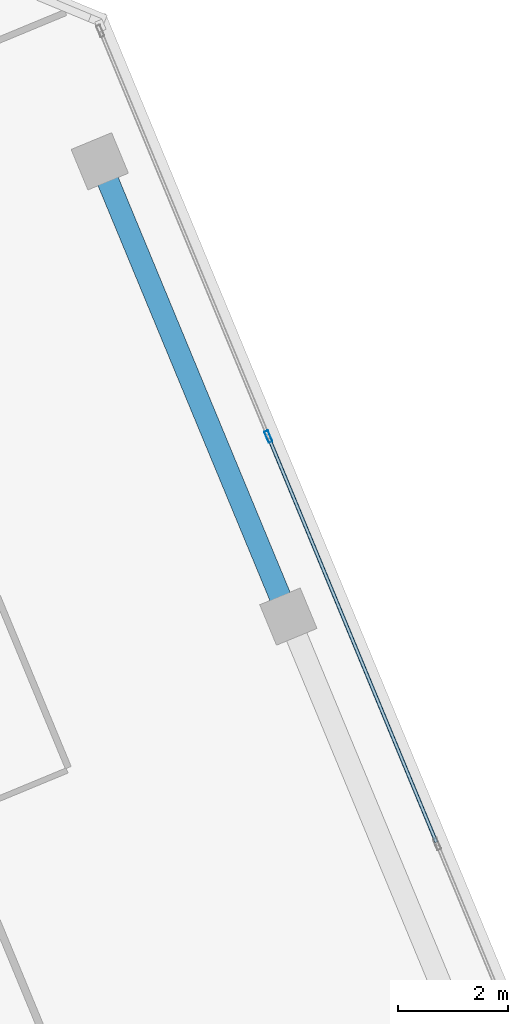
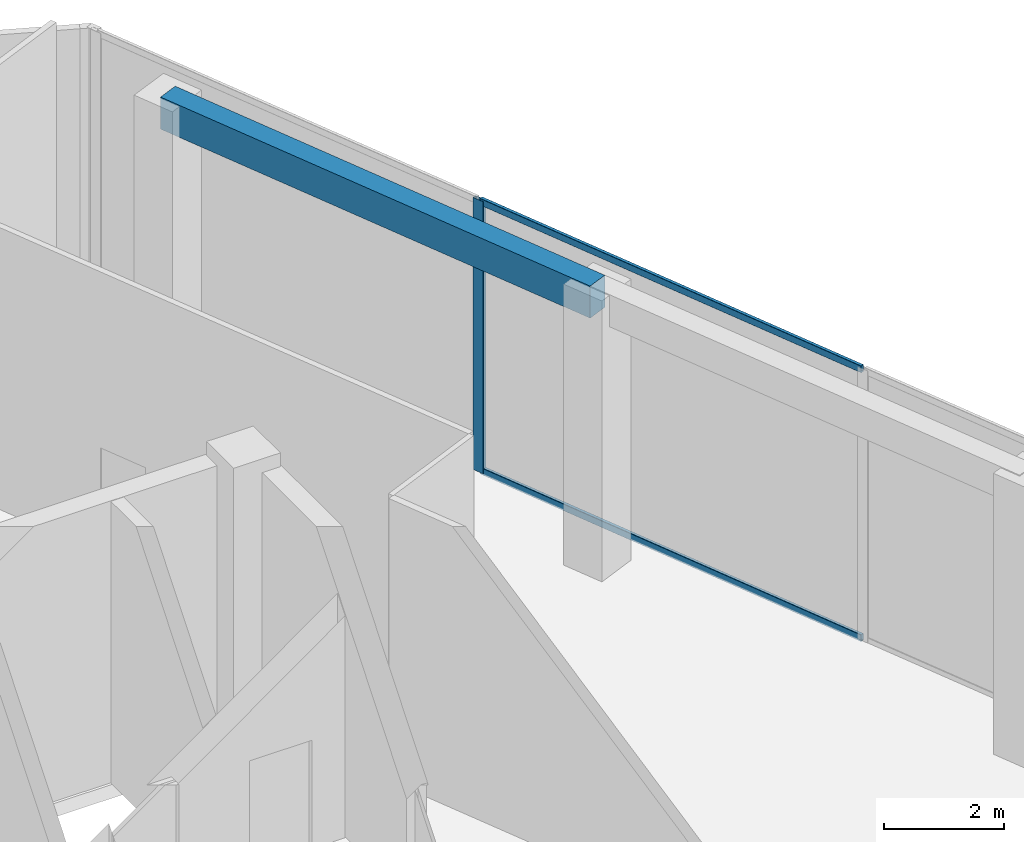
# One storey, part 7 of 16: 3 members, 1 beam, 1 element without a shape of its own.
"""IFC4 building model written with IfcOpenShell, lengths in metres."""

import ifcopenshell
import ifcopenshell.guid

model = None  # the IFC model being written
_history = None  # IfcOwnerHistory: only IFC2X3 demands one
_inside = {}  # id of a spatial element -> (the spatial element, [elements in it])
_under = {}  # id of a project, library or spatial element -> (it, [spatial elements below it])
_declared = {}  # id of a project -> (the project, [libraries it declares])
_typed = {}  # id of a type object -> (the type object, [elements of that type])
_made_of = {}  # id of a material, layer set ... -> (it, [elements and type objects made of it])


def new_model(schema):
    """Start an empty IFC model of exactly this schema.

    Asked for "IFC4X3", IfcOpenShell would pick the latest addendum, in which some entities
    have other attributes; the version numbers below select the first issue.
    IFC2X3 requires an IfcOwnerHistory on every rooted entity: one is made here for all.
    """
    global model, _history
    if schema == "IFC4X3":
        model = ifcopenshell.file(schema_version=(4, 3, 0, 0))
    else:
        model = ifcopenshell.file(schema=schema)
    _inside.clear()
    _under.clear()
    _declared.clear()
    _typed.clear()
    _made_of.clear()
    _history = None
    if model.schema == "IFC2X3":
        org = make("IfcOrganization", Name="unknown")
        user = make(
            "IfcPersonAndOrganization",
            ThePerson=make("IfcPerson", FamilyName="unknown"),
            TheOrganization=org,
        )
        app = make(
            "IfcApplication",
            ApplicationDeveloper=org,
            Version="unknown",
            ApplicationFullName="unknown",
            ApplicationIdentifier="unknown",
        )
        _history = make(
            "IfcOwnerHistory",
            OwningUser=user,
            OwningApplication=app,
            ChangeAction="ADDED",
            CreationDate=0,
        )
    return model


def make(cls, **values):
    """One entity of the class cls with the attributes given. An attribute that is None is left unset."""
    return model.create_entity(
        cls, **{name: value for name, value in values.items() if value is not None}
    )


def rooted(cls, **values):
    """An entity with a GlobalId (a new one), such as an element, a storey or a relation."""
    return make(cls, GlobalId=ifcopenshell.guid.new(), OwnerHistory=_history, **values)


def si_unit(unit_type, name, prefix=None):
    """IfcSIUnit, for example si_unit("LENGTHUNIT", "METRE", prefix="MILLI")."""
    return make("IfcSIUnit", UnitType=unit_type, Prefix=prefix, Name=name)


def assignment(units):
    """IfcUnitAssignment: the units of a project."""
    return None if units is None else make("IfcUnitAssignment", Units=units)


def point(xyz):
    """IfcCartesianPoint."""
    return None if xyz is None else make("IfcCartesianPoint", Coordinates=xyz)


def direction(xyz):
    """IfcDirection."""
    return None if xyz is None else make("IfcDirection", DirectionRatios=xyz)


def frame(location, z_axis=None, x_axis=None):
    """IfcAxis2Placement3D, a coordinate frame: its origin and axes. An axis left out is left unset."""
    return make(
        "IfcAxis2Placement3D",
        Location=point(location),
        Axis=direction(z_axis),
        RefDirection=direction(x_axis),
    )


def frame_2d(location, x_axis=None):
    """IfcAxis2Placement2D, a coordinate frame in the plane: its origin and x axis."""
    return make(
        "IfcAxis2Placement2D", Location=point(location), RefDirection=direction(x_axis)
    )


def origin():
    """The frame at (0, 0, 0) with its axes left unset."""
    return frame((0.0, 0.0, 0.0))


def origin_2d():
    """The frame at (0, 0) in the plane with its x axis left unset."""
    return frame_2d((0.0, 0.0))


def place(relative_to, where):
    """IfcLocalPlacement: puts the frame where relative to a parent placement (None: the world)."""
    return make(
        "IfcLocalPlacement", PlacementRelTo=relative_to, RelativePlacement=where
    )


def context(
    kind, dimensions, precision=None, world=None, true_north=None, identifier=None
):
    """IfcGeometricRepresentationContext, for example the 3D "Model" context."""
    return make(
        "IfcGeometricRepresentationContext",
        ContextIdentifier=identifier,
        ContextType=kind,
        CoordinateSpaceDimension=dimensions,
        Precision=precision,
        WorldCoordinateSystem=world,
        TrueNorth=true_north,
    )


def subcontext(parent, identifier, kind, view, scale=None):
    """IfcGeometricRepresentationSubContext, for example "Body" below "Model"."""
    return make(
        "IfcGeometricRepresentationSubContext",
        ContextIdentifier=identifier,
        ContextType=kind,
        ParentContext=parent,
        TargetScale=scale,
        TargetView=view,
    )


def project(units=None, contexts=None):
    """IfcProject with its units and contexts."""
    return rooted(
        "IfcProject",
        Name="project",
        RepresentationContexts=contexts,
        UnitsInContext=assignment(units),
    )


def spatial(cls, under=None, at=None, **own):
    """A site, building, storey or space (cls), placed at a placement, below another one or the project."""
    s = rooted(cls, ObjectPlacement=at, **own)
    if under is not None:
        _under.setdefault(under.id(), (under, []))[1].append(s)
    return s


def profile(cls, at=None, kind="AREA", **sizes):
    """A parametric profile (cls). Its sizes go by their IFC names, for example OverallWidth=200.0."""
    return make(cls, ProfileType=kind, Position=at, **sizes)


def rectangle(**sizes):
    """IfcRectangleProfileDef."""
    return profile("IfcRectangleProfileDef", **sizes)


def hollow_rectangle(**sizes):
    """IfcRectangleHollowProfileDef."""
    return profile("IfcRectangleHollowProfileDef", **sizes)


def extrude(swept, where, along, depth):
    """IfcExtrudedAreaSolid: the profile swept, set in the frame where, extruded along a direction by depth."""
    return make(
        "IfcExtrudedAreaSolid",
        SweptArea=swept,
        Position=where,
        ExtrudedDirection=direction(along),
        Depth=depth,
    )


def shape(context_of_items, identifier, shape_type, items):
    """IfcShapeRepresentation: the items that make up one representation, for example the "Body"."""
    return make(
        "IfcShapeRepresentation",
        ContextOfItems=context_of_items,
        RepresentationIdentifier=identifier,
        RepresentationType=shape_type,
        Items=items,
    )


def source(mapping_origin, context_of_items, identifier, shape_type, items):
    """IfcRepresentationMap: a shape defined once, which mapped items show again and again."""
    return make(
        "IfcRepresentationMap",
        MappingOrigin=mapping_origin,
        MappedRepresentation=shape(context_of_items, identifier, shape_type, items),
    )


def transform(
    local_origin,
    x_axis=None,
    y_axis=None,
    z_axis=None,
    scale=None,
    scale2=None,
    scale3=None,
    uniform=True,
):
    """IfcCartesianTransformationOperator3D, or its non-uniform kind. x_axis, y_axis, z_axis: its Axis1, 2, 3."""
    if uniform:
        return make(
            "IfcCartesianTransformationOperator3D",
            Axis1=direction(x_axis),
            Axis2=direction(y_axis),
            LocalOrigin=point(local_origin),
            Scale=scale,
            Axis3=direction(z_axis),
        )
    return make(
        "IfcCartesianTransformationOperator3DnonUniform",
        Axis1=direction(x_axis),
        Axis2=direction(y_axis),
        LocalOrigin=point(local_origin),
        Scale=scale,
        Axis3=direction(z_axis),
        Scale2=scale2,
        Scale3=scale3,
    )


def mapped(mapping_source, mapping_target):
    """IfcMappedItem: shows the shape of a source again, moved by a transform."""
    return make(
        "IfcMappedItem", MappingSource=mapping_source, MappingTarget=mapping_target
    )


def material(Name=None, Category=None):
    """IfcMaterial."""
    return make("IfcMaterial", Name=Name, Category=Category)


def material_profile(
    of_material, cross_section, Name=None, Category=None, Priority=None
):
    """IfcMaterialProfile: a cross section and its material."""
    return make(
        "IfcMaterialProfile",
        Name=Name,
        Material=of_material,
        Profile=cross_section,
        Priority=Priority,
        Category=Category,
    )


def profile_set(profiles, Name=None, composite=None):
    """IfcMaterialProfileSet."""
    return make(
        "IfcMaterialProfileSet",
        Name=Name,
        MaterialProfiles=profiles,
        CompositeProfile=composite,
    )


def made_of(thing, what):
    """Note that an element or type object is made of a material, layer set ...; save() writes the relation."""
    if what is not None:
        _made_of.setdefault(what.id(), (what, []))[1].append(thing)
    return thing


def type_object(cls, material=None, **own):
    """A type object (cls), such as IfcWallType, which elements share."""
    return made_of(rooted(cls, **own), material)


def element(
    cls,
    number,
    at=None,
    inside=None,
    cuts=None,
    type_object=None,
    material=None,
    context=None,
    identifier="Body",
    shape_type=None,
    held_by="IfcProductDefinitionShape",
    body=None,
    shapes=None,
    **own,
):
    """One element of the class cls, such as IfcWall. Its Tag is "e" and its number.

    at: its placement. inside: the storey or other place that contains it. cuts: it is an
    opening in that element (IfcRelVoidsElement). A single representation is given by context,
    identifier, shape_type and body (its items); several are given by shapes. held_by: the class
    of the entity that holds the representations. save() writes the other relations.
    """
    e = rooted(cls, Tag="e%d" % number, ObjectPlacement=at, **own)
    if body is not None:
        shapes = [shape(context, identifier, shape_type, body)]
    if shapes is not None:
        e.Representation = make(held_by, Representations=shapes)
    if inside is not None:
        _inside.setdefault(inside.id(), (inside, []))[1].append(e)
    if cuts is not None:
        rooted(
            "IfcRelVoidsElement", RelatingBuildingElement=cuts, RelatedOpeningElement=e
        )
    if type_object is not None:
        _typed.setdefault(type_object.id(), (type_object, []))[1].append(e)
    return made_of(e, material)


def aggregate(whole, parts):
    """IfcRelAggregates: a whole, such as a stair, and the parts it consists of."""
    return rooted("IfcRelAggregates", RelatingObject=whole, RelatedObjects=parts)


def save(model, path):
    """Write the relations noted so far, then the file.

    IfcRelAggregates (storeys below a building ...), IfcRelContainedInSpatialStructure (elements
    in a storey), IfcRelDefinesByType, IfcRelAssociatesMaterial and IfcRelDeclares: one each for
    every whole, place, type object, material and project.
    """
    for whole, parts in _under.values():
        aggregate(whole, parts)
    for where, things in _inside.values():
        rooted(
            "IfcRelContainedInSpatialStructure",
            RelatedElements=things,
            RelatingStructure=where,
        )
    for kind, things in _typed.values():
        rooted("IfcRelDefinesByType", RelatedObjects=things, RelatingType=kind)
    for what, things in _made_of.values():
        rooted("IfcRelAssociatesMaterial", RelatedObjects=things, RelatingMaterial=what)
    for by, libraries in _declared.values():
        rooted("IfcRelDeclares", RelatingContext=by, RelatedDefinitions=libraries)
    model.write(path)


model = new_model("IFC4")

# Units and contexts
model_context = context("Model", 3, precision=1e-05, world=origin(), true_north=direction((0.0, 1.0)))
body_context = subcontext(model_context, "Body", "Model", "MODEL_VIEW")
ifc_project = project(units=[si_unit("LENGTHUNIT", "METRE"), si_unit("AREAUNIT", "SQUARE_METRE"), si_unit("VOLUMEUNIT", "CUBIC_METRE"), si_unit("PLANEANGLEUNIT", "RADIAN"), si_unit("MASSUNIT", "GRAM", prefix="KILO")], contexts=[model_context])

# Site, building, storey
site_placement = place(None, origin())
site = spatial("IfcSite", under=ifc_project, at=site_placement, CompositionType="ELEMENT")
building_placement = place(site_placement, origin())
building = spatial("IfcBuilding", under=site, at=building_placement, Name="Torre Montelarca", CompositionType="ELEMENT")
storey_placement = place(building_placement, frame((0.0, 0.0, 360.0)))
storey = spatial("IfcBuildingStorey", under=building, at=storey_placement, Name="L81", CompositionType="ELEMENT", Elevation=360.0)

# Beam
ifc_material_1 = material(Name="Concrete C40/50", Category="concrete")
ifc_material_profile_1 = material_profile(ifc_material_1, rectangle(XDim=0.39990234375, YDim=0.64990234375, at=origin_2d()), Name="RCB400X650", Category="concrete")
ifc_profile_set_1 = profile_set([ifc_material_profile_1], Name="Concrete C40/50")
beam_type = type_object("IfcBeamType", Name="BM-SP-RC650-EXT", PredefinedType="SPANDREL", material=ifc_profile_set_1)
shared_shape_1 = source(origin(), body_context, "Body", "SweptSolid", [
    extrude(rectangle(XDim=0.39990234375, YDim=0.64990234375, at=origin_2d()), origin(), (0.0, 0.0, 1.0), 9.0),
])
beam_placement = place(storey_placement, frame((30.713134765625, 49.34619140625, 5.39501953125), z_axis=(0.382699975578, -0.923872679915, 0.0), x_axis=(0.923872679915, 0.382699975578, 0.0)))
element("IfcBeam", 1, at=beam_placement, inside=storey, type_object=beam_type, Name="L81 Grid Girder X 9.0-18.0 at Y=47.1", PredefinedType="SPANDREL", context=body_context, shape_type="MappedRepresentation", body=[
    mapped(shared_shape_1, transform((0.0, 0.0, 0.0), scale=1.0)),
])

# Curtain wall, members
ifc_material_2 = material(Name="Insulated low-E laminated glass", Category="glass")
curtain_wall_type = type_object("IfcCurtainWallType", Name="CW-SYS-Z4", PredefinedType="USERDEFINED", material=ifc_material_2)
curtain_wall_placement = place(storey_placement, origin())
curtain_wall = element("IfcCurtainWall", 2, at=curtain_wall_placement, inside=storey, type_object=curtain_wall_type, Name="L81 Curtain Wall Run CW-T3-L81-E08-B1", ObjectType="UNITISED GLAZING", PredefinedType="USERDEFINED")
ifc_material_3 = material(Name="Anodised aluminium AA 6063-T6", Category="aluminium")
ifc_material_profile_2 = material_profile(ifc_material_3, hollow_rectangle(XDim=0.074951171875, YDim=0.219970703125, WallThickness=0.0048828125, InnerFilletRadius=0.0048828125, OuterFilletRadius=0.010009765625, at=origin_2d()), Name="ALU75X220X5", Category="aluminium")
ifc_profile_set_2 = profile_set([ifc_material_profile_2], Name="Anodised aluminium AA 6063-T6")
member_type_1 = type_object("IfcMemberType", Name="CWM-ALU220", PredefinedType="MULLION", material=ifc_profile_set_2)
shared_shape_2 = source(origin(), body_context, "Body", "SweptSolid", [
    extrude(hollow_rectangle(XDim=0.074951171875, YDim=0.219970703125, WallThickness=0.0048828125, InnerFilletRadius=0.0048828125, OuterFilletRadius=0.010009765625, at=origin_2d()), origin(), (0.0, 0.0, 1.0), 5.52001953125),
])
member_1_placement = place(storey_placement, frame((33.791259765625, 44.3193359375, 0.0), z_axis=(0.0, 0.0, 1.0), x_axis=(-0.9238811263, -0.382679584596, 0.0)))
member_1 = element("IfcMember", 3, at=member_1_placement, type_object=member_type_1, Name="CW mullion 3", PredefinedType="MULLION", context=body_context, shape_type="MappedRepresentation", body=[
    mapped(shared_shape_2, transform((0.0, 0.0, 0.0), scale=1.0)),
])
ifc_material_profile_3 = material_profile(ifc_material_3, hollow_rectangle(XDim=0.06494140625, YDim=0.139892578125, WallThickness=0.00390625, InnerFilletRadius=0.00390625, OuterFilletRadius=0.008056640625, at=origin_2d()), Name="ALU65X140X4", Category="aluminium")
ifc_profile_set_3 = profile_set([ifc_material_profile_3], Name="Anodised aluminium AA 6063-T6")
member_type_2 = type_object("IfcMemberType", Name="CWT-ALU140", PredefinedType="USERDEFINED", material=ifc_profile_set_3)
shared_shape_3 = source(origin(), body_context, "Body", "SweptSolid", [
    extrude(hollow_rectangle(XDim=0.06494140625, YDim=0.139892578125, WallThickness=0.00390625, InnerFilletRadius=0.00390625, OuterFilletRadius=0.008056640625, at=origin_2d()), origin(), (0.0, 0.0, 1.0), 7.98095703125),
])
member_2_placement = place(storey_placement, frame((36.85986328125, 36.9111328125, 0.032470703125), z_axis=(-0.382681395484, 0.923880376212, 0.0), x_axis=(-0.923880376212, -0.382681395484, 0.0)))
member_2 = element("IfcMember", 4, at=member_2_placement, type_object=member_type_2, Name="CW transom 2.1", ObjectType="TRANSOM", PredefinedType="USERDEFINED", context=body_context, shape_type="MappedRepresentation", body=[
    mapped(shared_shape_3, transform((0.0, 0.0, 0.0), scale=1.0)),
])
member_3_placement = place(storey_placement, frame((36.85986328125, 36.9111328125, 5.487548828125), z_axis=(-0.382681395484, 0.923880376212, 0.0), x_axis=(-0.923880376212, -0.382681395484, 0.0)))
member_3 = element("IfcMember", 5, at=member_3_placement, type_object=member_type_2, Name="CW transom 2.2", ObjectType="TRANSOM", PredefinedType="USERDEFINED", context=body_context, shape_type="MappedRepresentation", body=[
    mapped(shared_shape_3, transform((0.0, 0.0, 0.0), scale=1.0)),
])
aggregate(curtain_wall, [member_1, member_2, member_3])

save(model, "model.ifc")
